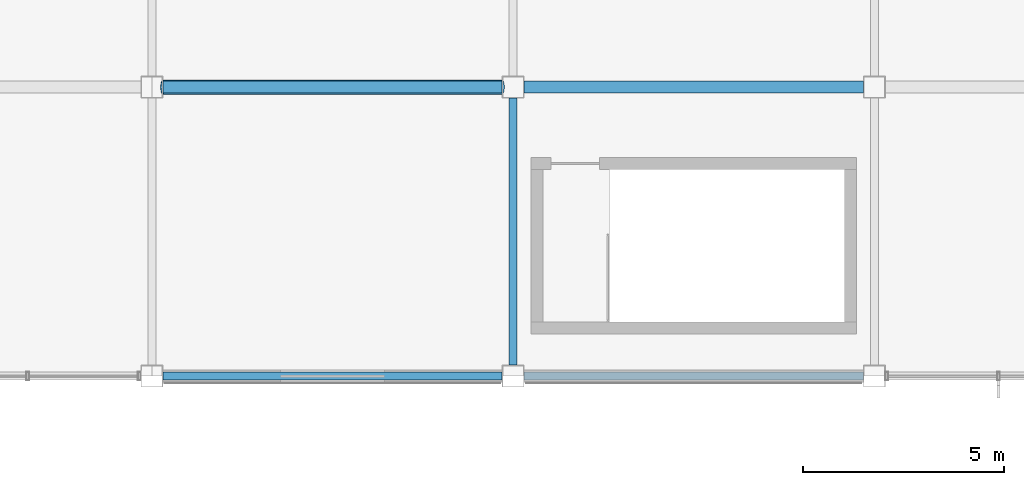
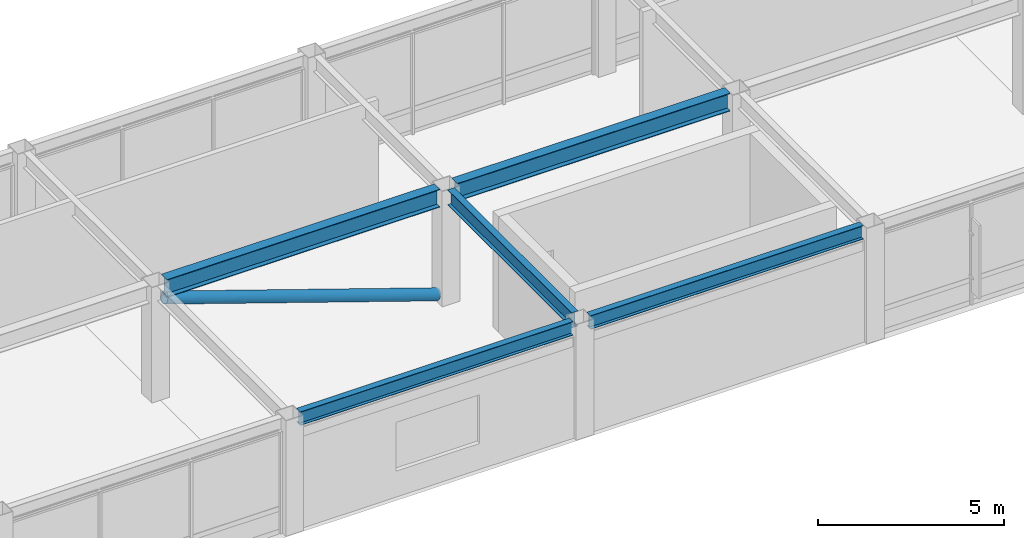
# One storey, part 38 of 113: 5 beams, 1 member.
"""IFC4 building model written with IfcOpenShell, lengths in metres."""

from ifc_helpers import new_model, si_unit, direction, frame, origin, origin_2d, place, context, subcontext, project, spatial, hollow_circle, i_section, extrude, material, material_profile, profile_set, type_object, element, save


model = new_model("IFC4")

# Units and contexts
model_context = context("Model", 3, precision=1e-05, world=origin(), true_north=direction((0.0, 1.0)))
body_context = subcontext(model_context, "Body", "Model", "MODEL_VIEW")
ifc_project = project(units=[si_unit("LENGTHUNIT", "METRE"), si_unit("AREAUNIT", "SQUARE_METRE"), si_unit("VOLUMEUNIT", "CUBIC_METRE"), si_unit("PLANEANGLEUNIT", "RADIAN"), si_unit("MASSUNIT", "GRAM", prefix="KILO")], contexts=[model_context])

# Site, building, storey
site_placement = place(None, origin())
site = spatial("IfcSite", under=ifc_project, at=site_placement, CompositionType="ELEMENT")
building_placement = place(site_placement, origin())
building = spatial("IfcBuilding", under=site, at=building_placement, Name="Kazanami Central Library", CompositionType="ELEMENT")
storey_placement = place(building_placement, frame((0.0, 0.0, 8.800048828125)))
storey = spatial("IfcBuildingStorey", under=building, at=storey_placement, Name="L03", CompositionType="ELEMENT", Elevation=8.800048828125)

# Beams
ifc_material_1 = material(Name="Steel SN490B (325 MPa)", Category="steel")
ifc_material_profile_1 = material_profile(ifc_material_1, i_section(OverallWidth=0.300048828125, OverallDepth=0.587890625, WebThickness=0.011962890625, FlangeThickness=0.02001953125, at=origin_2d()), Name="H-588x300x12x20")
ifc_profile_set_1 = profile_set([ifc_material_profile_1], Name="Steel SN490B (325 MPa)")
beam_type_1 = type_object("IfcBeamType", Name="BM-G-X2", PredefinedType="BEAM", material=ifc_profile_set_1)
for number, where, z_axis, x_axis, name in (
    (1, (63.27294921875, 28.800048828125, 3.48583984375), (1.0, 0.0, 0.0), (0.0, 1.0, 0.0), "Girder G-X2 L03 E/8-9"),
    (2, (72.27294921875, 28.800048828125, 3.48583984375), (1.0, 0.0, 0.0), (0.0, 1.0, 0.0), "Girder G-X2 L03 E/9-10"),
):
    element("IfcBeam", number, at=place(storey_placement, frame(where, z_axis=z_axis, x_axis=x_axis)), inside=storey, type_object=beam_type_1, Name=name, PredefinedType="BEAM", context=body_context, shape_type="SweptSolid", body=[
        extrude(i_section(OverallWidth=0.300048828125, OverallDepth=0.587890625, WebThickness=0.011962890625, FlangeThickness=0.02001953125, at=origin_2d()), origin(), (0.0, 0.0, 1.0), 8.4541015625),
    ])
ifc_material_profile_2 = material_profile(ifc_material_1, i_section(OverallWidth=0.199951171875, OverallDepth=0.5, WebThickness=0.010009765625, FlangeThickness=0.01611328125, at=origin_2d()), Name="H-500x200x10x16")
ifc_profile_set_2 = profile_set([ifc_material_profile_2], Name="Steel SN490B (325 MPa)")
beam_type_2 = type_object("IfcBeamType", Name="BM-G-Y2", PredefinedType="BEAM", material=ifc_profile_set_2)
beam_placement = place(storey_placement, frame((72.0, 21.873046875, 3.530029296875), z_axis=(0.0, 1.0, 0.0), x_axis=(-1.0, 0.0, 0.0)))
element("IfcBeam", 3, at=beam_placement, inside=storey, type_object=beam_type_2, Name="Girder G-Y2 L03 9/D-E", PredefinedType="BEAM", context=body_context, shape_type="SweptSolid", body=[
    extrude(i_section(OverallWidth=0.199951171875, OverallDepth=0.5, WebThickness=0.010009765625, FlangeThickness=0.01611328125, at=origin_2d()), origin(), (0.0, 0.0, 1.0), 6.654052734375),
])
ifc_material_profile_3 = material_profile(ifc_material_1, i_section(OverallWidth=0.199951171875, OverallDepth=0.449951171875, WebThickness=0.009033203125, FlangeThickness=0.013916015625, at=origin_2d()), Name="H-450x200x9x14")
ifc_profile_set_3 = profile_set([ifc_material_profile_3], Name="Steel SN490B (325 MPa)")
beam_type_3 = type_object("IfcBeamType", Name="BM-SP-2", PredefinedType="SPANDREL", material=ifc_profile_set_3)
for number, where, z_axis, x_axis, name in (
    (4, (63.27294921875, 21.60009765625, 3.554931640625), (1.0, 0.0, 0.0), (0.0, 1.0, 0.0), "Girder SP-2 L03 D/8-9"),
    (5, (72.27294921875, 21.60009765625, 3.554931640625), (1.0, 0.0, 0.0), (0.0, 1.0, 0.0), "Girder SP-2 L03 D/9-10"),
):
    element("IfcBeam", number, at=place(storey_placement, frame(where, z_axis=z_axis, x_axis=x_axis)), inside=storey, type_object=beam_type_3, Name=name, PredefinedType="SPANDREL", context=body_context, shape_type="SweptSolid", body=[
        extrude(i_section(OverallWidth=0.199951171875, OverallDepth=0.449951171875, WebThickness=0.009033203125, FlangeThickness=0.013916015625, at=origin_2d()), origin(), (0.0, 0.0, 1.0), 8.4541015625),
    ])

# Member
ifc_material_2 = material(Name="Steel STK490 (315 MPa)", Category="steel")
ifc_material_profile_4 = material_profile(ifc_material_2, hollow_circle(Radius=0.177734375, WallThickness=0.0126953125, at=origin_2d()), Name="CHS-355.6x12.7")
ifc_profile_set_4 = profile_set([ifc_material_profile_4], Name="Steel STK490 (315 MPa)")
member_type = type_object("IfcMemberType", Name="MEM-BR-01", PredefinedType="BRACE", material=ifc_profile_set_4)
member_placement = place(storey_placement, frame((71.72509765625, 28.800048828125, 0.25), z_axis=(-0.947563176339, 0.0, 0.319568501023), x_axis=(0.0, -1.0, 0.0)))
element("IfcMember", 6, at=member_placement, inside=storey, type_object=member_type, Name="Concentric Steel Brace BR-01 L03 BF-V1C", PredefinedType="BRACE", context=body_context, shape_type="SweptSolid", body=[
    extrude(hollow_circle(Radius=0.177734375, WallThickness=0.0126953125, at=origin_2d()), origin(), (0.0, 0.0, 1.0), 8.917724609375),
])

save(model, "model.ifc")
